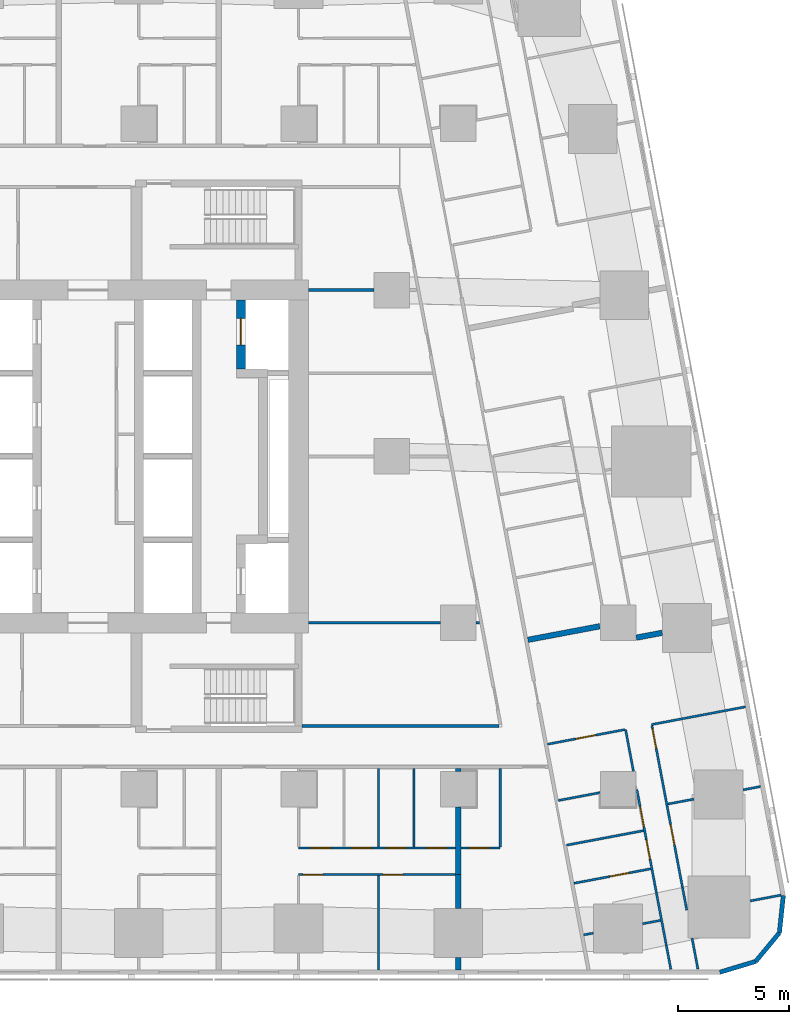
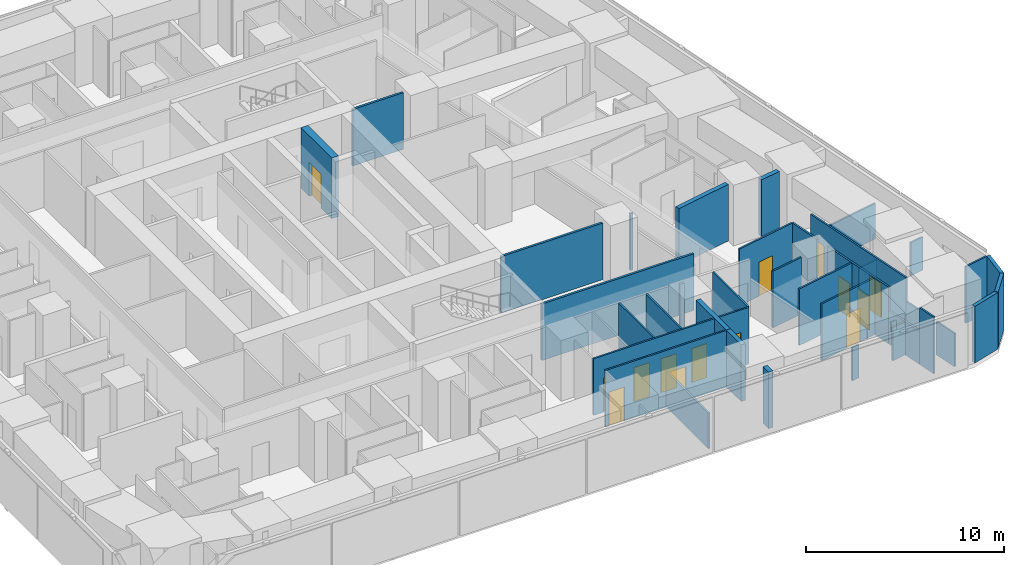
# One storey, part 7 of 16: 38 walls, 14 doors, 14 openings.
"""IFC4 building model written with IfcOpenShell, lengths in metres."""

from ifc_helpers import new_model, si_unit, direction, frame, frame_2d, origin, place, context, subcontext, project, spatial, rectangle, extrude, material, layer, layer_set, type_object, element, fill, save


model = new_model("IFC4")

# Units and contexts
model_context = context("Model", 3, precision=1e-05, world=origin(), true_north=direction((0.0, 1.0)))
body_context = subcontext(model_context, "Body", "Model", "MODEL_VIEW")
ifc_project = project(units=[si_unit("LENGTHUNIT", "METRE"), si_unit("AREAUNIT", "SQUARE_METRE"), si_unit("VOLUMEUNIT", "CUBIC_METRE"), si_unit("PLANEANGLEUNIT", "RADIAN"), si_unit("MASSUNIT", "GRAM", prefix="KILO")], contexts=[model_context])

# Site, building, storey
site_placement = place(None, origin())
site = spatial("IfcSite", under=ifc_project, at=site_placement, CompositionType="ELEMENT")
building_placement = place(site_placement, origin())
building = spatial("IfcBuilding", under=site, at=building_placement, Name="Sheger Commons Tower", CompositionType="ELEMENT")
storey_placement = place(building_placement, frame((0.0, 0.0, 96.64990234375)))
storey = spatial("IfcBuildingStorey", under=building, at=storey_placement, Name="L24", CompositionType="ELEMENT", Elevation=96.64990234375)

# Wall, opening, door
ifc_material_1 = material(Name="Concrete C50/60", Category="concrete")
ifc_layer_1 = layer(ifc_material_1, 0.39990234375)
ifc_layer_set_1 = layer_set([ifc_layer_1], Name="CORE INNER WALL 400")
wall_type_1 = type_object("IfcWallType", Name="CORE INNER WALL 400", PredefinedType="SHEAR", material=ifc_layer_set_1)
wall_1_placement = place(storey_placement, frame((26.199951171875, 26.449951171875, 0.0), z_axis=(0.0, 0.0, 1.0), x_axis=(0.0, 1.0, 0.0)))
wall_1 = element("IfcWall", 1, at=wall_1_placement, inside=storey, type_object=wall_type_1, Name="Core inner wall F north L24", PredefinedType="SHEAR", context=body_context, shape_type="SweptSolid", body=[
    extrude(rectangle(XDim=3.10009765625, YDim=0.39990234375, at=frame_2d((1.550048828125, 0.0))), origin(), (0.0, 0.0, 1.0), 3.75),
])
opening_1_placement = place(wall_1_placement, frame((1.074951171875, 0.0, 0.0)))
opening_1 = element("IfcOpeningElement", 2, at=opening_1_placement, cuts=wall_1, Name="Opening LD2", PredefinedType="OPENING", context=body_context, shape_type="SweptSolid", body=[
    extrude(rectangle(XDim=1.199951171875, YDim=2.10009765625, at=frame_2d((0.60009765625, 1.050048828125))), frame((0.0, 0.2099609375, 0.0), z_axis=(0.0, -1.0, 0.0), x_axis=(1.0, 0.0, 0.0)), (0.0, 0.0, 1.0), 0.419921875),
])
ifc_material_2 = material(Name="Steel door set, fire rated", Category="steel")
door_type_1 = type_object("IfcDoorType", Name="FIREFIGHTING LIFT LANDING DOOR 1200x2100", OperationType="DOUBLE_DOOR_SLIDING", PredefinedType="DOOR", material=ifc_material_2)
door_1_placement = place(opening_1_placement, origin())
door_1 = element("IfcDoor", 3, at=door_1_placement, inside=storey, type_object=door_type_1, Name="Lift FL2 landing door", OperationType="DOUBLE_DOOR_SLIDING", OverallHeight=2.10009765625, OverallWidth=1.199951171875, PredefinedType="DOOR", context=body_context, shape_type="SweptSolid", body=[
    extrude(rectangle(XDim=1.199951171875, YDim=2.10009765625, at=frame_2d((0.60009765625, 1.050048828125))), frame((0.0, 0.02490234375, 0.0), z_axis=(0.0, -1.0, 0.0), x_axis=(1.0, 0.0, 0.0)), (0.0, 0.0, 1.0), 0.050048828125),
])
fill(opening_1, door_1)

# Walls
ifc_material_3 = material(Name="Dense concrete block masonry, plastered both sides (separating wall between flats)", Category="masonry")
ifc_layer_2 = layer(ifc_material_3, 0.25)
ifc_layer_set_2 = layer_set([ifc_layer_2], Name="DEMISING WALL 250")
wall_type_2 = type_object("IfcWallType", Name="DEMISING WALL 250", PredefinedType="SOLIDWALL", material=ifc_layer_set_2)
wall_2_placement = place(storey_placement, frame((36.0, -0.64990234375, 0.0), z_axis=(0.0, 0.0, 1.0), x_axis=(0.0, 1.0, 0.0)))
element("IfcWall", 4, at=wall_2_placement, inside=storey, type_object=wall_type_2, Name="Demising wall L24", PredefinedType="SOLIDWALL", context=body_context, shape_type="SweptSolid", body=[
    extrude(rectangle(XDim=0.573974609375, YDim=0.25, at=frame_2d((0.287109375, 0.0))), origin(), (0.0, 0.0, 1.0), 3.5),
])
wall_3_placement = place(storey_placement, frame((36.0, 2.1259765625, 0.0), z_axis=(0.0, 0.0, 1.0), x_axis=(0.0, 1.0, 0.0)))
element("IfcWall", 5, at=wall_3_placement, inside=storey, type_object=wall_type_2, Name="Demising wall L24", PredefinedType="SOLIDWALL", context=body_context, shape_type="SweptSolid", body=[
    extrude(rectangle(XDim=1.52392578125, YDim=0.25, at=frame_2d((0.761962890625, 0.0))), origin(), (0.0, 0.0, 1.0), 3.5),
])
wall_4_placement = place(storey_placement, frame((36.0, 3.64990234375, 0.0), z_axis=(0.0, 0.0, 1.0), x_axis=(0.0, 1.0, 0.0)))
element("IfcWall", 6, at=wall_4_placement, inside=storey, type_object=wall_type_2, Name="Demising wall L24", PredefinedType="SOLIDWALL", context=body_context, shape_type="SweptSolid", body=[
    extrude(rectangle(XDim=3.049072265625, YDim=0.25, at=frame_2d((1.5244140625, 0.0))), origin(), (0.0, 0.0, 1.0), 3.5),
])
wall_5_placement = place(storey_placement, frame((36.0, 8.301025390625, 0.0), z_axis=(0.0, 0.0, 1.0), x_axis=(0.0, 1.0, 0.0)))
element("IfcWall", 7, at=wall_5_placement, inside=storey, type_object=wall_type_2, Name="Demising wall L24", PredefinedType="SOLIDWALL", context=body_context, shape_type="SweptSolid", body=[
    extrude(rectangle(XDim=0.1240234375, YDim=0.25, at=frame_2d((0.06201171875, 0.0))), origin(), (0.0, 0.0, 1.0), 3.5),
])
wall_6_placement = place(storey_placement, frame((45.18994140625, 14.550048828125, 0.0), z_axis=(0.0, 0.0, 1.0), x_axis=(-0.982666604435, -0.185381618634, 0.0)))
element("IfcWall", 8, at=wall_6_placement, inside=storey, type_object=wall_type_2, Name="Demising wall L24", PredefinedType="SOLIDWALL", context=body_context, shape_type="SweptSolid", body=[
    extrude(rectangle(XDim=1.1865234375, YDim=0.25, at=frame_2d((0.59326171875, 0.0))), origin(), (0.0, 0.0, 1.0), 3.5),
])
wall_7_placement = place(storey_placement, frame((42.3759765625, 14.843994140625, 0.0), z_axis=(0.0, 0.0, 1.0), x_axis=(-0.982610440948, -0.18567908159, 0.0)))
element("IfcWall", 9, at=wall_7_placement, inside=storey, type_object=wall_type_2, Name="Demising wall L24", PredefinedType="SOLIDWALL", context=body_context, shape_type="SweptSolid", body=[
    extrude(rectangle(XDim=3.29638671875, YDim=0.25, at=frame_2d((1.648193359375, 0.0))), origin(), (0.0, 0.0, 1.0), 3.5),
])
ifc_material_4 = material(Name="Rendered concrete block masonry, dark grey", Category="masonry")
ifc_layer_3 = layer(ifc_material_4, 0.199951171875)
ifc_layer_set_3 = layer_set([ifc_layer_3], Name="FACADE WALL 200")
wall_type_3 = type_object("IfcWallType", Name="FACADE WALL 200", PredefinedType="SOLIDWALL", material=ifc_layer_set_3)
wall_8_placement = place(storey_placement, frame((47.791015625, -0.75, 0.0), z_axis=(0.0, 0.0, 1.0), x_axis=(0.957455232626, 0.288581838509, 0.0)))
element("IfcWall", 10, at=wall_8_placement, inside=storey, type_object=wall_type_3, Name="Facade wall L24", PredefinedType="SOLIDWALL", context=body_context, shape_type="SweptSolid", body=[
    extrude(rectangle(XDim=1.687744140625, YDim=0.199951171875, at=frame_2d((0.84375, 0.0))), origin(), (0.0, 0.0, 1.0), 3.5),
])
wall_9_placement = place(storey_placement, frame((49.406982421875, -0.262939453125, 0.0), z_axis=(0.0, 0.0, 1.0), x_axis=(0.638042593423, 0.770001070764, 0.0)))
element("IfcWall", 11, at=wall_9_placement, inside=storey, type_object=wall_type_3, Name="Facade wall L24", PredefinedType="SOLIDWALL", context=body_context, shape_type="SweptSolid", body=[
    extrude(rectangle(XDim=1.672607421875, YDim=0.199951171875, at=frame_2d((0.83642578125, 0.0))), origin(), (0.0, 0.0, 1.0), 3.5),
])
wall_10_placement = place(storey_placement, frame((50.47412109375, 1.02490234375, 0.0), z_axis=(0.0, 0.0, 1.0), x_axis=(0.106047815515, 0.994361031429, 0.0)))
element("IfcWall", 12, at=wall_10_placement, inside=storey, type_object=wall_type_3, Name="Facade wall L24", PredefinedType="SOLIDWALL", context=body_context, shape_type="SweptSolid", body=[
    extrude(rectangle(XDim=1.6875, YDim=0.199951171875, at=frame_2d((0.84375, 0.0))), origin(), (0.0, 0.0, 1.0), 3.5),
])

# Wall, openings, doors
ifc_material_5 = material(Name="Gypsum board on steel studs", Category="steel")
ifc_layer_4 = layer(ifc_material_5, 0.10009765625)
ifc_layer_set_4 = layer_set([ifc_layer_4], Name="PARTITION 100")
wall_type_4 = type_object("IfcWallType", Name="PARTITION 100", PredefinedType="PARTITIONING", material=ifc_layer_set_4)
wall_11_placement = place(storey_placement, frame((35.875, 3.64990234375, 0.0), z_axis=(0.0, 0.0, 1.0), x_axis=(-1.0, 0.0, 0.0)))
wall_11 = element("IfcWall", 13, at=wall_11_placement, inside=storey, type_object=wall_type_4, Name="Partition L24", PredefinedType="PARTITIONING", context=body_context, shape_type="SweptSolid", body=[
    extrude(rectangle(XDim=7.074951171875, YDim=0.10009765625, at=frame_2d((3.53759765625, 0.0))), origin(), (0.0, 0.0, 1.0), 3.5),
])
opening_2_placement = place(wall_11_placement, frame((5.97509765625, 0.0, 0.0)))
opening_2 = element("IfcOpeningElement", 14, at=opening_2_placement, cuts=wall_11, Name="Opening D2", PredefinedType="OPENING", context=body_context, shape_type="SweptSolid", body=[
    extrude(rectangle(XDim=0.89990234375, YDim=2.10009765625, at=frame_2d((0.449951171875, 1.050048828125))), frame((0.0, 0.06005859375, 0.0), z_axis=(0.0, -1.0, 0.0), x_axis=(1.0, 0.0, 0.0)), (0.0, 0.0, 1.0), 0.1201171875),
])
opening_3_placement = place(wall_11_placement, frame((2.375, 0.0, 0.0)))
opening_3 = element("IfcOpeningElement", 15, at=opening_3_placement, cuts=wall_11, Name="Opening D2", PredefinedType="OPENING", context=body_context, shape_type="SweptSolid", body=[
    extrude(rectangle(XDim=0.89990234375, YDim=2.10009765625, at=frame_2d((0.449951171875, 1.050048828125))), frame((0.0, 0.06005859375, 0.0), z_axis=(0.0, -1.0, 0.0), x_axis=(1.0, 0.0, 0.0)), (0.0, 0.0, 1.0), 0.1201171875),
])
ifc_material_6 = material(Name="Timber door set", Category="wood")
door_type_2 = type_object("IfcDoorType", Name="INTERNAL DOOR 900x2100", OperationType="NOTDEFINED", PredefinedType="DOOR", material=ifc_material_6)
door_2_placement = place(opening_2_placement, origin())
door_2 = element("IfcDoor", 16, at=door_2_placement, inside=storey, type_object=door_type_2, Name="Main bedroom door", OperationType="SINGLE_SWING_RIGHT", OverallHeight=2.10009765625, OverallWidth=0.89990234375, PredefinedType="DOOR", context=body_context, shape_type="SweptSolid", body=[
    extrude(rectangle(XDim=0.89990234375, YDim=2.10009765625, at=frame_2d((0.449951171875, 1.050048828125))), frame((0.0, 0.02490234375, 0.0), z_axis=(0.0, -1.0, 0.0), x_axis=(1.0, 0.0, 0.0)), (0.0, 0.0, 1.0), 0.050048828125),
])
fill(opening_2, door_2)
door_3_placement = place(opening_3_placement, origin())
door_3 = element("IfcDoor", 17, at=door_3_placement, inside=storey, type_object=door_type_2, Name="Bedroom 2 door", OperationType="SINGLE_SWING_RIGHT", OverallHeight=2.10009765625, OverallWidth=0.89990234375, PredefinedType="DOOR", context=body_context, shape_type="SweptSolid", body=[
    extrude(rectangle(XDim=0.89990234375, YDim=2.10009765625, at=frame_2d((0.449951171875, 1.050048828125))), frame((0.0, 0.02490234375, 0.0), z_axis=(0.0, -1.0, 0.0), x_axis=(1.0, 0.0, 0.0)), (0.0, 0.0, 1.0), 0.050048828125),
])
fill(opening_3, door_3)

wall_12_placement = place(storey_placement, frame((35.875, 4.85009765625, 0.0), z_axis=(0.0, 0.0, 1.0), x_axis=(-1.0, 0.0, 0.0)))
wall_12 = element("IfcWall", 18, at=wall_12_placement, inside=storey, type_object=wall_type_4, Name="Partition L24", PredefinedType="PARTITIONING", context=body_context, shape_type="SweptSolid", body=[
    extrude(rectangle(XDim=7.074951171875, YDim=0.10009765625, at=frame_2d((3.53759765625, 0.0))), origin(), (0.0, 0.0, 1.0), 3.5),
])
opening_4_placement = place(wall_12_placement, frame((5.60009765625, 0.0, 0.0)))
opening_4 = element("IfcOpeningElement", 19, at=opening_4_placement, cuts=wall_12, Name="Opening D2", PredefinedType="OPENING", context=body_context, shape_type="SweptSolid", body=[
    extrude(rectangle(XDim=0.89990234375, YDim=2.10009765625, at=frame_2d((0.449951171875, 1.050048828125))), frame((0.0, 0.06005859375, 0.0), z_axis=(0.0, -1.0, 0.0), x_axis=(1.0, 0.0, 0.0)), (0.0, 0.0, 1.0), 0.1201171875),
])
opening_5_placement = place(wall_12_placement, frame((2.22509765625, 0.0, 0.0)))
opening_5 = element("IfcOpeningElement", 20, at=opening_5_placement, cuts=wall_12, Name="Opening D2", PredefinedType="OPENING", context=body_context, shape_type="SweptSolid", body=[
    extrude(rectangle(XDim=0.89990234375, YDim=2.10009765625, at=frame_2d((0.449951171875, 1.050048828125))), frame((0.0, 0.06005859375, 0.0), z_axis=(0.0, -1.0, 0.0), x_axis=(1.0, 0.0, 0.0)), (0.0, 0.0, 1.0), 0.1201171875),
])
opening_6_placement = place(wall_12_placement, frame((3.800048828125, 0.0, 0.0)))
opening_6 = element("IfcOpeningElement", 21, at=opening_6_placement, cuts=wall_12, Name="Opening D2", PredefinedType="OPENING", context=body_context, shape_type="SweptSolid", body=[
    extrude(rectangle(XDim=0.89990234375, YDim=2.10009765625, at=frame_2d((0.449951171875, 1.050048828125))), frame((0.0, 0.06005859375, 0.0), z_axis=(0.0, -1.0, 0.0), x_axis=(1.0, 0.0, 0.0)), (0.0, 0.0, 1.0), 0.1201171875),
])
opening_7_placement = place(wall_12_placement, frame((0.425048828125, 0.0, 0.0)))
opening_7 = element("IfcOpeningElement", 22, at=opening_7_placement, cuts=wall_12, Name="Opening D2", PredefinedType="OPENING", context=body_context, shape_type="SweptSolid", body=[
    extrude(rectangle(XDim=0.89990234375, YDim=2.10009765625, at=frame_2d((0.449951171875, 1.050048828125))), frame((0.0, 0.06005859375, 0.0), z_axis=(0.0, -1.0, 0.0), x_axis=(1.0, 0.0, 0.0)), (0.0, 0.0, 1.0), 0.1201171875),
])
door_4_placement = place(opening_4_placement, origin())
door_4 = element("IfcDoor", 23, at=door_4_placement, inside=storey, type_object=door_type_2, Name="Bathroom door", OperationType="SINGLE_SWING_LEFT", OverallHeight=2.10009765625, OverallWidth=0.89990234375, PredefinedType="DOOR", context=body_context, shape_type="SweptSolid", body=[
    extrude(rectangle(XDim=0.89990234375, YDim=2.10009765625, at=frame_2d((0.449951171875, 1.050048828125))), frame((0.0, 0.02490234375, 0.0), z_axis=(0.0, -1.0, 0.0), x_axis=(1.0, 0.0, 0.0)), (0.0, 0.0, 1.0), 0.050048828125),
])
fill(opening_4, door_4)
door_5_placement = place(opening_5_placement, origin())
door_5 = element("IfcDoor", 24, at=door_5_placement, inside=storey, type_object=door_type_2, Name="Shower room door", OperationType="SINGLE_SWING_LEFT", OverallHeight=2.10009765625, OverallWidth=0.89990234375, PredefinedType="DOOR", context=body_context, shape_type="SweptSolid", body=[
    extrude(rectangle(XDim=0.89990234375, YDim=2.10009765625, at=frame_2d((0.449951171875, 1.050048828125))), frame((0.0, 0.02490234375, 0.0), z_axis=(0.0, -1.0, 0.0), x_axis=(1.0, 0.0, 0.0)), (0.0, 0.0, 1.0), 0.050048828125),
])
fill(opening_5, door_5)
door_6_placement = place(opening_6_placement, origin())
door_6 = element("IfcDoor", 25, at=door_6_placement, inside=storey, type_object=door_type_2, Name="Store door", OperationType="SINGLE_SWING_LEFT", OverallHeight=2.10009765625, OverallWidth=0.89990234375, PredefinedType="DOOR", context=body_context, shape_type="SweptSolid", body=[
    extrude(rectangle(XDim=0.89990234375, YDim=2.10009765625, at=frame_2d((0.449951171875, 1.050048828125))), frame((0.0, 0.02490234375, 0.0), z_axis=(0.0, -1.0, 0.0), x_axis=(1.0, 0.0, 0.0)), (0.0, 0.0, 1.0), 0.050048828125),
])
fill(opening_6, door_6)
door_7_placement = place(opening_7_placement, origin())
door_7 = element("IfcDoor", 26, at=door_7_placement, inside=storey, type_object=door_type_2, Name="Store door", OperationType="SINGLE_SWING_RIGHT", OverallHeight=2.10009765625, OverallWidth=0.89990234375, PredefinedType="DOOR", context=body_context, shape_type="SweptSolid", body=[
    extrude(rectangle(XDim=0.89990234375, YDim=2.10009765625, at=frame_2d((0.449951171875, 1.050048828125))), frame((0.0, 0.02490234375, 0.0), z_axis=(0.0, -1.0, 0.0), x_axis=(1.0, 0.0, 0.0)), (0.0, 0.0, 1.0), 0.050048828125),
])
fill(opening_7, door_7)

# Walls
wall_13_placement = place(storey_placement, frame((32.39990234375, -0.64990234375, 0.0), z_axis=(0.0, 0.0, 1.0), x_axis=(0.0, 1.0, 0.0)))
element("IfcWall", 27, at=wall_13_placement, inside=storey, type_object=wall_type_4, Name="Partition L24", PredefinedType="PARTITIONING", context=body_context, shape_type="SweptSolid", body=[
    extrude(rectangle(XDim=4.25, YDim=0.10009765625, at=frame_2d((2.125, 0.0))), origin(), (0.0, 0.0, 1.0), 2.2001953125),
])
for number, where, z_axis, x_axis, name in (
    (28, (32.39990234375, 4.89990234375, 0.0), (0.0, 0.0, 1.0), (0.0, 1.0, 0.0), "Partition L24"),
    (29, (34.0, 4.89990234375, 0.0), (0.0, 0.0, 1.0), (0.0, 1.0, 0.0), "Partition L24"),
):
    element("IfcWall", number, at=place(storey_placement, frame(where, z_axis=z_axis, x_axis=x_axis)), inside=storey, type_object=wall_type_4, Name=name, PredefinedType="PARTITIONING", context=body_context, shape_type="SweptSolid", body=[
        extrude(rectangle(XDim=3.525146484375, YDim=0.10009765625, at=frame_2d((1.7626953125, 0.0))), origin(), (0.0, 0.0, 1.0), 3.5),
    ])

# Wall, opening, door
wall_14_placement = place(storey_placement, frame((37.889892578125, 4.85009765625, 0.0), z_axis=(0.0, 0.0, 1.0), x_axis=(-1.0, 0.0, 0.0)))
wall_14 = element("IfcWall", 30, at=wall_14_placement, inside=storey, type_object=wall_type_4, Name="Partition L24", PredefinedType="PARTITIONING", context=body_context, shape_type="SweptSolid", body=[
    extrude(rectangle(XDim=1.764892578125, YDim=0.10009765625, at=frame_2d((0.88232421875, 0.0))), origin(), (0.0, 0.0, 1.0), 3.5),
])
opening_8_placement = place(wall_14_placement, frame((0.489990234375, 0.0, 0.0)))
opening_8 = element("IfcOpeningElement", 31, at=opening_8_placement, cuts=wall_14, Name="Opening D2", PredefinedType="OPENING", context=body_context, shape_type="SweptSolid", body=[
    extrude(rectangle(XDim=0.89990234375, YDim=2.10009765625, at=frame_2d((0.449951171875, 1.050048828125))), frame((0.0, 0.06005859375, 0.0), z_axis=(0.0, -1.0, 0.0), x_axis=(1.0, 0.0, 0.0)), (0.0, 0.0, 1.0), 0.1201171875),
])
door_8_placement = place(opening_8_placement, origin())
door_8 = element("IfcDoor", 32, at=door_8_placement, inside=storey, type_object=door_type_2, Name="Shower room door", OperationType="SINGLE_SWING_LEFT", OverallHeight=2.10009765625, OverallWidth=0.89990234375, PredefinedType="DOOR", context=body_context, shape_type="SweptSolid", body=[
    extrude(rectangle(XDim=0.89990234375, YDim=2.10009765625, at=frame_2d((0.449951171875, 1.050048828125))), frame((0.0, 0.02490234375, 0.0), z_axis=(0.0, -1.0, 0.0), x_axis=(1.0, 0.0, 0.0)), (0.0, 0.0, 1.0), 0.050048828125),
])
fill(opening_8, door_8)

# Wall
wall_15_placement = place(storey_placement, frame((37.889892578125, 4.89990234375, 0.0), z_axis=(0.0, 0.0, 1.0), x_axis=(0.0, 1.0, 0.0)))
element("IfcWall", 33, at=wall_15_placement, inside=storey, type_object=wall_type_4, Name="Partition L24", PredefinedType="PARTITIONING", context=body_context, shape_type="SweptSolid", body=[
    extrude(rectangle(XDim=3.525146484375, YDim=0.10009765625, at=frame_2d((1.7626953125, 0.0))), origin(), (0.0, 0.0, 1.0), 3.5),
])

# Wall, openings, doors
wall_16_placement = place(storey_placement, frame((44.72705078125, 10.365966796875, 0.0), z_axis=(0.0, 0.0, 1.0), x_axis=(0.185678775129, -0.982610498858, 0.0)))
wall_16 = element("IfcWall", 34, at=wall_16_placement, inside=storey, type_object=wall_type_4, Name="Partition L24", PredefinedType="PARTITIONING", context=body_context, shape_type="SweptSolid", body=[
    extrude(rectangle(XDim=7.421142578125, YDim=0.10009765625, at=frame_2d((3.71044921875, 0.0))), origin(), (0.0, 0.0, 1.0), 3.5),
])
opening_9_placement = place(wall_16_placement, frame((0.15087890625, 0.0, 0.0)))
opening_9 = element("IfcOpeningElement", 35, at=opening_9_placement, cuts=wall_16, Name="Opening D2", PredefinedType="OPENING", context=body_context, shape_type="SweptSolid", body=[
    extrude(rectangle(XDim=0.89990234375, YDim=2.10009765625, at=frame_2d((0.449951171875, 1.050048828125))), frame((0.0, 0.06005859375, 0.0), z_axis=(0.0, -1.0, 0.0), x_axis=(1.0, 0.0, 0.0)), (0.0, 0.0, 1.0), 0.1201171875),
])
opening_10_placement = place(wall_16_placement, frame((4.550048828125, 0.0, 0.0)))
opening_10 = element("IfcOpeningElement", 36, at=opening_10_placement, cuts=wall_16, Name="Opening D2", PredefinedType="OPENING", context=body_context, shape_type="SweptSolid", body=[
    extrude(rectangle(XDim=0.89990234375, YDim=2.10009765625, at=frame_2d((0.449951171875, 1.050048828125))), frame((0.0, 0.06005859375, 0.0), z_axis=(0.0, -1.0, 0.0), x_axis=(1.0, 0.0, 0.0)), (0.0, 0.0, 1.0), 0.1201171875),
])
door_9_placement = place(opening_9_placement, origin())
door_9 = element("IfcDoor", 37, at=door_9_placement, inside=storey, type_object=door_type_2, Name="Main bedroom door", OperationType="SINGLE_SWING_LEFT", OverallHeight=2.10009765625, OverallWidth=0.89990234375, PredefinedType="DOOR", context=body_context, shape_type="SweptSolid", body=[
    extrude(rectangle(XDim=0.89990234375, YDim=2.10009765625, at=frame_2d((0.449951171875, 1.050048828125))), frame((0.0, 0.02490234375, 0.0), z_axis=(0.0, -1.0, 0.0), x_axis=(1.0, 0.0, 0.0)), (0.0, 0.0, 1.0), 0.050048828125),
])
fill(opening_9, door_9)
door_10_placement = place(opening_10_placement, origin())
door_10 = element("IfcDoor", 38, at=door_10_placement, inside=storey, type_object=door_type_2, Name="Bedroom 2 door", OperationType="SINGLE_SWING_LEFT", OverallHeight=2.10009765625, OverallWidth=0.89990234375, PredefinedType="DOOR", context=body_context, shape_type="SweptSolid", body=[
    extrude(rectangle(XDim=0.89990234375, YDim=2.10009765625, at=frame_2d((0.449951171875, 1.050048828125))), frame((0.0, 0.02490234375, 0.0), z_axis=(0.0, -1.0, 0.0), x_axis=(1.0, 0.0, 0.0)), (0.0, 0.0, 1.0), 0.050048828125),
])
fill(opening_10, door_10)

# Walls
wall_17_placement = place(storey_placement, frame((46.10498046875, 3.073974609375, 0.0), z_axis=(0.0, 0.0, 1.0), x_axis=(0.185897769544, -0.982569091351, 0.0)))
element("IfcWall", 39, at=wall_17_placement, inside=storey, type_object=wall_type_4, Name="Partition L24", PredefinedType="PARTITIONING", context=body_context, shape_type="SweptSolid", body=[
    extrude(rectangle(XDim=1.044189453125, YDim=0.10009765625, at=frame_2d((0.52197265625, 0.0))), origin(), (0.0, 0.0, 1.0), 2.050048828125),
])
wall_18_placement = place(storey_placement, frame((46.537109375, 0.787109375, 0.0), z_axis=(0.0, 0.0, 1.0), x_axis=(0.185348284603, -0.982672892368, 0.0)))
element("IfcWall", 40, at=wall_18_placement, inside=storey, type_object=wall_type_4, Name="Partition L24", PredefinedType="PARTITIONING", context=body_context, shape_type="SweptSolid", body=[
    extrude(rectangle(XDim=1.418701171875, YDim=0.10009765625, at=frame_2d((0.70947265625, 0.0))), origin(), (0.0, 0.0, 1.0), 2.050048828125),
])
wall_19_placement = place(storey_placement, frame((43.5390625, 10.19189453125, 0.0), z_axis=(0.0, 0.0, 1.0), x_axis=(0.185366049966, -0.982669541362, 0.0)))
element("IfcWall", 41, at=wall_19_placement, inside=storey, type_object=wall_type_4, Name="Partition L24", PredefinedType="PARTITIONING", context=body_context, shape_type="SweptSolid", body=[
    extrude(rectangle(XDim=1.9150390625, YDim=0.10009765625, at=frame_2d((0.95751953125, 0.0))), origin(), (0.0, 0.0, 1.0), 3.5),
])

# Wall, openings, doors
wall_20_placement = place(storey_placement, frame((44.049072265625, 7.489990234375, 0.0), z_axis=(0.0, 0.0, 1.0), x_axis=(0.185666332607, -0.982612849975, 0.0)))
wall_20 = element("IfcWall", 42, at=wall_20_placement, inside=storey, type_object=wall_type_4, Name="Partition L24", PredefinedType="PARTITIONING", context=body_context, shape_type="SweptSolid", body=[
    extrude(rectangle(XDim=4.74951171875, YDim=0.10009765625, at=frame_2d((2.374755859375, 0.0))), origin(), (0.0, 0.0, 1.0), 3.5),
])
opening_11_placement = place(wall_20_placement, frame((0.800048828125, 0.0, 0.0)))
opening_11 = element("IfcOpeningElement", 43, at=opening_11_placement, cuts=wall_20, Name="Opening D2", PredefinedType="OPENING", context=body_context, shape_type="SweptSolid", body=[
    extrude(rectangle(XDim=0.89990234375, YDim=2.10009765625, at=frame_2d((0.449951171875, 1.050048828125))), frame((0.0, 0.06005859375, 0.0), z_axis=(0.0, -1.0, 0.0), x_axis=(1.0, 0.0, 0.0)), (0.0, 0.0, 1.0), 0.1201171875),
])
opening_12_placement = place(wall_20_placement, frame((2.31494140625, 0.0, 0.0)))
opening_12 = element("IfcOpeningElement", 44, at=opening_12_placement, cuts=wall_20, Name="Opening D2", PredefinedType="OPENING", context=body_context, shape_type="SweptSolid", body=[
    extrude(rectangle(XDim=0.89990234375, YDim=2.10009765625, at=frame_2d((0.449951171875, 1.050048828125))), frame((0.0, 0.06005859375, 0.0), z_axis=(0.0, -1.0, 0.0), x_axis=(1.0, 0.0, 0.0)), (0.0, 0.0, 1.0), 0.1201171875),
])
door_11_placement = place(opening_11_placement, origin())
door_11 = element("IfcDoor", 45, at=door_11_placement, inside=storey, type_object=door_type_2, Name="Bathroom door", OperationType="SINGLE_SWING_LEFT", OverallHeight=2.10009765625, OverallWidth=0.89990234375, PredefinedType="DOOR", context=body_context, shape_type="SweptSolid", body=[
    extrude(rectangle(XDim=0.89990234375, YDim=2.10009765625, at=frame_2d((0.449951171875, 1.050048828125))), frame((0.0, 0.02490234375, 0.0), z_axis=(0.0, -1.0, 0.0), x_axis=(1.0, 0.0, 0.0)), (0.0, 0.0, 1.0), 0.050048828125),
])
fill(opening_11, door_11)
door_12_placement = place(opening_12_placement, origin())
door_12 = element("IfcDoor", 46, at=door_12_placement, inside=storey, type_object=door_type_2, Name="Store door", OperationType="SINGLE_SWING_LEFT", OverallHeight=2.10009765625, OverallWidth=0.89990234375, PredefinedType="DOOR", context=body_context, shape_type="SweptSolid", body=[
    extrude(rectangle(XDim=0.89990234375, YDim=2.10009765625, at=frame_2d((0.449951171875, 1.050048828125))), frame((0.0, 0.02490234375, 0.0), z_axis=(0.0, -1.0, 0.0), x_axis=(1.0, 0.0, 0.0)), (0.0, 0.0, 1.0), 0.050048828125),
])
fill(opening_12, door_12)

# Walls
wall_21_placement = place(storey_placement, frame((44.930908203125, 2.822998046875, 0.0), z_axis=(0.0, 0.0, 1.0), x_axis=(0.185631845838, -0.982619365681, 0.0)))
element("IfcWall", 47, at=wall_21_placement, inside=storey, type_object=wall_type_4, Name="Partition L24", PredefinedType="PARTITIONING", context=body_context, shape_type="SweptSolid", body=[
    extrude(rectangle(XDim=2.40283203125, YDim=0.10009765625, at=frame_2d((1.201416015625, 0.0))), origin(), (0.0, 0.0, 1.0), 2.050048828125),
])
wall_22_placement = place(storey_placement, frame((45.376953125, 0.4619140625, 0.0), z_axis=(0.0, 0.0, 1.0), x_axis=(0.185513480919, -0.982641719243, 0.0)))
element("IfcWall", 48, at=wall_22_placement, inside=storey, type_object=wall_type_4, Name="Partition L24", PredefinedType="PARTITIONING", context=body_context, shape_type="SweptSolid", body=[
    extrude(rectangle(XDim=1.094970703125, YDim=0.10009765625, at=frame_2d((0.54736328125, 0.0))), origin(), (0.0, 0.0, 1.0), 3.5),
])
wall_23_placement = place(storey_placement, frame((48.943115234375, 11.212890625, 0.0), z_axis=(0.0, 0.0, 1.0), x_axis=(-0.982633535512, -0.185556823879, 0.0)))
element("IfcWall", 49, at=wall_23_placement, inside=storey, type_object=wall_type_4, Name="Partition L24", PredefinedType="PARTITIONING", context=body_context, shape_type="SweptSolid", body=[
    extrude(rectangle(XDim=4.2998046875, YDim=0.10009765625, at=frame_2d((2.14990234375, 0.0))), origin(), (0.0, 0.0, 1.0), 2.2001953125),
])
wall_24_placement = place(storey_placement, frame((49.6220703125, 7.6201171875, 0.0), z_axis=(0.0, 0.0, 1.0), x_axis=(-0.982512656401, -0.186195810938, 0.0)))
element("IfcWall", 50, at=wall_24_placement, inside=storey, type_object=wall_type_4, Name="Partition L24", PredefinedType="PARTITIONING", context=body_context, shape_type="SweptSolid", body=[
    extrude(rectangle(XDim=0.7958984375, YDim=0.10009765625, at=frame_2d((0.39794921875, 0.0))), origin(), (0.0, 0.0, 1.0), 2.050048828125),
])
wall_25_placement = place(storey_placement, frame((46.6201171875, 7.052978515625, 0.0), z_axis=(0.0, 0.0, 1.0), x_axis=(-0.982749355621, -0.18494243436, 0.0)))
element("IfcWall", 51, at=wall_25_placement, inside=storey, type_object=wall_type_4, Name="Partition L24", PredefinedType="PARTITIONING", context=body_context, shape_type="SweptSolid", body=[
    extrude(rectangle(XDim=1.194580078125, YDim=0.10009765625, at=frame_2d((0.59716796875, 0.0))), origin(), (0.0, 0.0, 1.0), 2.050048828125),
])
wall_26_placement = place(storey_placement, frame((50.547119140625, 2.72607421875, 0.0), z_axis=(0.0, 0.0, 1.0), x_axis=(-0.982680053146, -0.185310315822, 0.0)))
element("IfcWall", 52, at=wall_26_placement, inside=storey, type_object=wall_type_4, Name="Partition L24", PredefinedType="PARTITIONING", context=body_context, shape_type="SweptSolid", body=[
    extrude(rectangle(XDim=1.41357421875, YDim=0.10009765625, at=frame_2d((0.706787109375, 0.0))), origin(), (0.0, 0.0, 1.0), 3.5),
])

# Wall, opening, door
wall_27_placement = place(storey_placement, frame((43.489990234375, 10.18310546875, 0.0), z_axis=(0.0, 0.0, 1.0), x_axis=(-0.982588017646, -0.185797706064, 0.0)))
wall_27 = element("IfcWall", 53, at=wall_27_placement, inside=storey, type_object=wall_type_4, Name="Partition L24", PredefinedType="PARTITIONING", context=body_context, shape_type="SweptSolid", body=[
    extrude(rectangle(XDim=3.525390625, YDim=0.10009765625, at=frame_2d((1.7626953125, 0.0))), origin(), (0.0, 0.0, 1.0), 3.5),
])
opening_13_placement = place(wall_27_placement, frame((1.324951171875, 0.0, 0.0)))
opening_13 = element("IfcOpeningElement", 54, at=opening_13_placement, cuts=wall_27, Name="Opening D2", PredefinedType="OPENING", context=body_context, shape_type="SweptSolid", body=[
    extrude(rectangle(XDim=0.89990234375, YDim=2.10009765625, at=frame_2d((0.449951171875, 1.050048828125))), frame((0.0, 0.06005859375, 0.0), z_axis=(0.0, -1.0, 0.0), x_axis=(1.0, 0.0, 0.0)), (0.0, 0.0, 1.0), 0.1201171875),
])
door_13_placement = place(opening_13_placement, origin())
door_13 = element("IfcDoor", 55, at=door_13_placement, inside=storey, type_object=door_type_2, Name="Store door", OperationType="SINGLE_SWING_RIGHT", OverallHeight=2.10009765625, OverallWidth=0.89990234375, PredefinedType="DOOR", context=body_context, shape_type="SweptSolid", body=[
    extrude(rectangle(XDim=0.89990234375, YDim=2.10009765625, at=frame_2d((0.449951171875, 1.050048828125))), frame((0.0, 0.02490234375, 0.0), z_axis=(0.0, -1.0, 0.0), x_axis=(1.0, 0.0, 0.0)), (0.0, 0.0, 1.0), 0.050048828125),
])
fill(opening_13, door_13)

# Walls
wall_28_placement = place(storey_placement, frame((42.389892578125, 7.346923828125, 0.0), z_axis=(0.0, 0.0, 1.0), x_axis=(-0.982633642782, -0.185556255819, 0.0)))
element("IfcWall", 56, at=wall_28_placement, inside=storey, type_object=wall_type_4, Name="Partition L24", PredefinedType="PARTITIONING", context=body_context, shape_type="SweptSolid", body=[
    extrude(rectangle(XDim=1.918212890625, YDim=0.10009765625, at=frame_2d((0.958984375, 0.0))), origin(), (0.0, 0.0, 1.0), 3.5),
])
wall_29_placement = place(storey_placement, frame((45.114013671875, 1.5869140625, 0.0), z_axis=(0.0, 0.0, 1.0), x_axis=(-0.982624706348, -0.185603573443, 0.0)))
element("IfcWall", 57, at=wall_29_placement, inside=storey, type_object=wall_type_4, Name="Partition L24", PredefinedType="PARTITIONING", context=body_context, shape_type="SweptSolid", body=[
    extrude(rectangle(XDim=0.818115234375, YDim=0.10009765625, at=frame_2d((0.4091796875, 0.0))), origin(), (0.0, 0.0, 1.0), 2.050048828125),
])
wall_30_placement = place(storey_placement, frame((42.090087890625, 1.014892578125, 0.0), z_axis=(0.0, 0.0, 1.0), x_axis=(-0.982680384557, -0.185308558375, 0.0)))
element("IfcWall", 58, at=wall_30_placement, inside=storey, type_object=wall_type_4, Name="Partition L24", PredefinedType="PARTITIONING", context=body_context, shape_type="SweptSolid", body=[
    extrude(rectangle(XDim=0.447998046875, YDim=0.10009765625, at=frame_2d((0.22412109375, 0.0))), origin(), (0.0, 0.0, 1.0), 2.050048828125),
])
wall_31_placement = place(storey_placement, frame((44.35009765625, 5.631103515625, 0.0), z_axis=(0.0, 0.0, 1.0), x_axis=(-0.982638553676, -0.185530247748, 0.0)))
element("IfcWall", 59, at=wall_31_placement, inside=storey, type_object=wall_type_4, Name="Partition L24", PredefinedType="PARTITIONING", context=body_context, shape_type="SweptSolid", body=[
    extrude(rectangle(XDim=3.525390625, YDim=0.10009765625, at=frame_2d((1.7626953125, 0.0))), origin(), (0.0, 0.0, 1.0), 3.5),
])

# Wall, opening, door
wall_32_placement = place(storey_placement, frame((41.2099609375, 3.258056640625, 0.0), z_axis=(0.0, 0.0, 1.0), x_axis=(0.982638553676, 0.185530247748, 0.0)))
wall_32 = element("IfcWall", 60, at=wall_32_placement, inside=storey, type_object=wall_type_4, Name="Partition L24", PredefinedType="PARTITIONING", context=body_context, shape_type="SweptSolid", body=[
    extrude(rectangle(XDim=3.525390625, YDim=0.10009765625, at=frame_2d((1.7626953125, 0.0))), origin(), (0.0, 0.0, 1.0), 3.5),
])
opening_14_placement = place(wall_32_placement, frame((1.64990234375, 0.0, 0.0)))
opening_14 = element("IfcOpeningElement", 61, at=opening_14_placement, cuts=wall_32, Name="Opening D2", PredefinedType="OPENING", context=body_context, shape_type="SweptSolid", body=[
    extrude(rectangle(XDim=0.89990234375, YDim=2.10009765625, at=frame_2d((0.449951171875, 1.050048828125))), frame((0.0, 0.06005859375, 0.0), z_axis=(0.0, -1.0, 0.0), x_axis=(1.0, 0.0, 0.0)), (0.0, 0.0, 1.0), 0.1201171875),
])
door_14_placement = place(opening_14_placement, origin())
door_14 = element("IfcDoor", 62, at=door_14_placement, inside=storey, type_object=door_type_2, Name="Store door", OperationType="SINGLE_SWING_RIGHT", OverallHeight=2.10009765625, OverallWidth=0.89990234375, PredefinedType="DOOR", context=body_context, shape_type="SweptSolid", body=[
    extrude(rectangle(XDim=0.89990234375, YDim=2.10009765625, at=frame_2d((0.449951171875, 1.050048828125))), frame((0.0, 0.02490234375, 0.0), z_axis=(0.0, -1.0, 0.0), x_axis=(1.0, 0.0, 0.0)), (0.0, 0.0, 1.0), 0.050048828125),
])
fill(opening_14, door_14)

# Walls
ifc_material_7 = material(Name="Gypsum board on steel studs, two layers each side, fire rated", Category="steel")
ifc_layer_5 = layer(ifc_material_7, 0.125)
ifc_layer_set_5 = layer_set([ifc_layer_5], Name="SERVICE WALL 125")
wall_type_5 = type_object("IfcWallType", Name="SERVICE WALL 125", PredefinedType="PARTITIONING", material=ifc_layer_set_5)
wall_33_placement = place(storey_placement, frame((28.949951171875, 10.35009765625, 0.0), z_axis=(0.0, 0.0, 1.0), x_axis=(1.0, 0.0, 0.0)))
element("IfcWall", 63, at=wall_33_placement, inside=storey, type_object=wall_type_5, Name="Service room wall L24", PredefinedType="PARTITIONING", context=body_context, shape_type="SweptSolid", body=[
    extrude(rectangle(XDim=8.885986328125, YDim=0.125, at=frame_2d((4.44287109375, 0.0))), origin(), (0.0, 0.0, 1.0), 3.5),
])
wall_34_placement = place(storey_placement, frame((29.25, 15.0, 0.0), z_axis=(0.0, 0.0, 1.0), x_axis=(1.0, 0.0, 0.0)))
element("IfcWall", 64, at=wall_34_placement, inside=storey, type_object=wall_type_5, Name="Service room wall L24", PredefinedType="PARTITIONING", context=body_context, shape_type="SweptSolid", body=[
    extrude(rectangle(XDim=5.948974609375, YDim=0.125, at=frame_2d((2.974609375, 0.0))), origin(), (0.0, 0.0, 1.0), 3.5),
])
wall_35_placement = place(storey_placement, frame((36.801025390625, 15.0, 0.0), z_axis=(0.0, 0.0, 1.0), x_axis=(1.0, 0.0, 0.0)))
element("IfcWall", 65, at=wall_35_placement, inside=storey, type_object=wall_type_5, Name="Service room wall L24", PredefinedType="PARTITIONING", context=body_context, shape_type="SweptSolid", body=[
    extrude(rectangle(XDim=0.156982421875, YDim=0.125, at=frame_2d((0.07861328125, 0.0))), origin(), (0.0, 0.0, 1.0), 3.5),
])
wall_36_placement = place(storey_placement, frame((29.25, 30.0, 0.0), z_axis=(0.0, 0.0, 1.0), x_axis=(1.0, 0.0, 0.0)))
element("IfcWall", 66, at=wall_36_placement, inside=storey, type_object=wall_type_5, Name="Service room wall L24", PredefinedType="PARTITIONING", context=body_context, shape_type="SweptSolid", body=[
    extrude(rectangle(XDim=2.948974609375, YDim=0.125, at=frame_2d((1.474609375, 0.0))), origin(), (0.0, 0.0, 1.0), 3.5),
])

save(model, "model.ifc")
